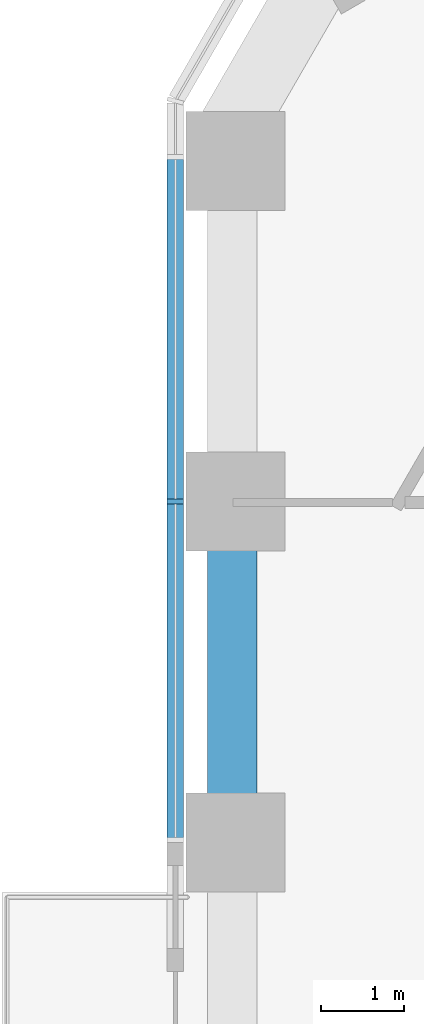
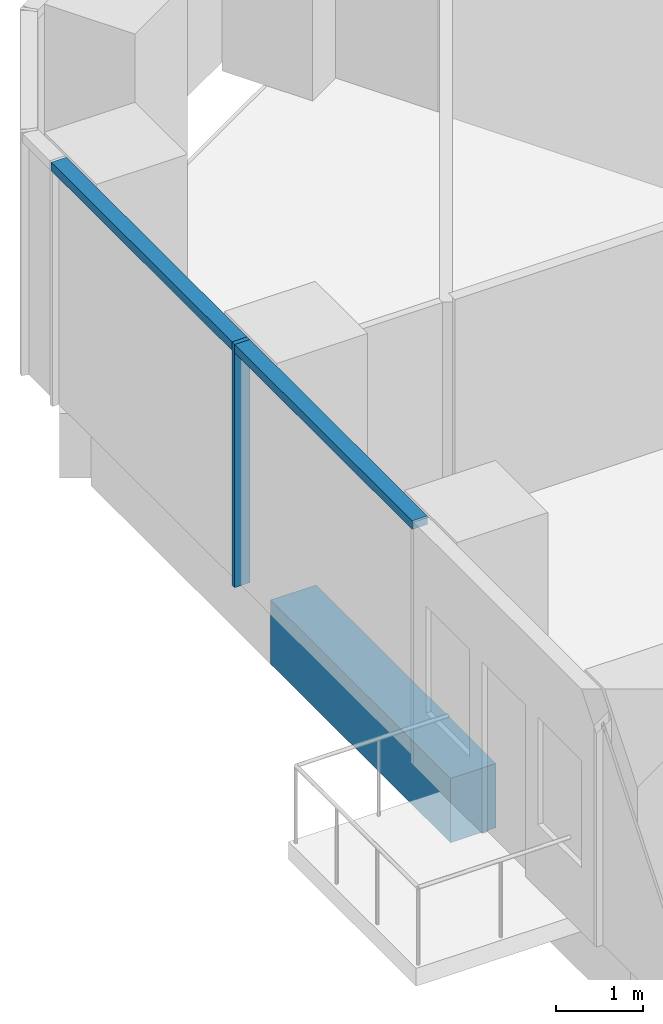
# One storey, part 4 of 20: 2 members, 1 beam, 1 element without a shape of its own.
"""IFC4 building model written with IfcOpenShell, lengths in metres."""

import ifcopenshell
import ifcopenshell.guid

model = None  # the IFC model being written
_history = None  # IfcOwnerHistory: only IFC2X3 demands one
_inside = {}  # id of a spatial element -> (the spatial element, [elements in it])
_under = {}  # id of a project, library or spatial element -> (it, [spatial elements below it])
_declared = {}  # id of a project -> (the project, [libraries it declares])
_typed = {}  # id of a type object -> (the type object, [elements of that type])
_made_of = {}  # id of a material, layer set ... -> (it, [elements and type objects made of it])


def new_model(schema):
    """Start an empty IFC model of exactly this schema.

    Asked for "IFC4X3", IfcOpenShell would pick the latest addendum, in which some entities
    have other attributes; the version numbers below select the first issue.
    IFC2X3 requires an IfcOwnerHistory on every rooted entity: one is made here for all.
    """
    global model, _history
    if schema == "IFC4X3":
        model = ifcopenshell.file(schema_version=(4, 3, 0, 0))
    else:
        model = ifcopenshell.file(schema=schema)
    _inside.clear()
    _under.clear()
    _declared.clear()
    _typed.clear()
    _made_of.clear()
    _history = None
    if model.schema == "IFC2X3":
        org = make("IfcOrganization", Name="unknown")
        user = make(
            "IfcPersonAndOrganization",
            ThePerson=make("IfcPerson", FamilyName="unknown"),
            TheOrganization=org,
        )
        app = make(
            "IfcApplication",
            ApplicationDeveloper=org,
            Version="unknown",
            ApplicationFullName="unknown",
            ApplicationIdentifier="unknown",
        )
        _history = make(
            "IfcOwnerHistory",
            OwningUser=user,
            OwningApplication=app,
            ChangeAction="ADDED",
            CreationDate=0,
        )
    return model


def make(cls, **values):
    """One entity of the class cls with the attributes given. An attribute that is None is left unset."""
    return model.create_entity(
        cls, **{name: value for name, value in values.items() if value is not None}
    )


def rooted(cls, **values):
    """An entity with a GlobalId (a new one), such as an element, a storey or a relation."""
    return make(cls, GlobalId=ifcopenshell.guid.new(), OwnerHistory=_history, **values)


def si_unit(unit_type, name, prefix=None):
    """IfcSIUnit, for example si_unit("LENGTHUNIT", "METRE", prefix="MILLI")."""
    return make("IfcSIUnit", UnitType=unit_type, Prefix=prefix, Name=name)


def assignment(units):
    """IfcUnitAssignment: the units of a project."""
    return None if units is None else make("IfcUnitAssignment", Units=units)


def point(xyz):
    """IfcCartesianPoint."""
    return None if xyz is None else make("IfcCartesianPoint", Coordinates=xyz)


def direction(xyz):
    """IfcDirection."""
    return None if xyz is None else make("IfcDirection", DirectionRatios=xyz)


def frame(location, z_axis=None, x_axis=None):
    """IfcAxis2Placement3D, a coordinate frame: its origin and axes. An axis left out is left unset."""
    return make(
        "IfcAxis2Placement3D",
        Location=point(location),
        Axis=direction(z_axis),
        RefDirection=direction(x_axis),
    )


def frame_2d(location, x_axis=None):
    """IfcAxis2Placement2D, a coordinate frame in the plane: its origin and x axis."""
    return make(
        "IfcAxis2Placement2D", Location=point(location), RefDirection=direction(x_axis)
    )


def origin():
    """The frame at (0, 0, 0) with its axes left unset."""
    return frame((0.0, 0.0, 0.0))


def origin_2d():
    """The frame at (0, 0) in the plane with its x axis left unset."""
    return frame_2d((0.0, 0.0))


def place(relative_to, where):
    """IfcLocalPlacement: puts the frame where relative to a parent placement (None: the world)."""
    return make(
        "IfcLocalPlacement", PlacementRelTo=relative_to, RelativePlacement=where
    )


def context(
    kind, dimensions, precision=None, world=None, true_north=None, identifier=None
):
    """IfcGeometricRepresentationContext, for example the 3D "Model" context."""
    return make(
        "IfcGeometricRepresentationContext",
        ContextIdentifier=identifier,
        ContextType=kind,
        CoordinateSpaceDimension=dimensions,
        Precision=precision,
        WorldCoordinateSystem=world,
        TrueNorth=true_north,
    )


def subcontext(parent, identifier, kind, view, scale=None):
    """IfcGeometricRepresentationSubContext, for example "Body" below "Model"."""
    return make(
        "IfcGeometricRepresentationSubContext",
        ContextIdentifier=identifier,
        ContextType=kind,
        ParentContext=parent,
        TargetScale=scale,
        TargetView=view,
    )


def project(units=None, contexts=None):
    """IfcProject with its units and contexts."""
    return rooted(
        "IfcProject",
        Name="project",
        RepresentationContexts=contexts,
        UnitsInContext=assignment(units),
    )


def spatial(cls, under=None, at=None, **own):
    """A site, building, storey or space (cls), placed at a placement, below another one or the project."""
    s = rooted(cls, ObjectPlacement=at, **own)
    if under is not None:
        _under.setdefault(under.id(), (under, []))[1].append(s)
    return s


def profile(cls, at=None, kind="AREA", **sizes):
    """A parametric profile (cls). Its sizes go by their IFC names, for example OverallWidth=200.0."""
    return make(cls, ProfileType=kind, Position=at, **sizes)


def rectangle(**sizes):
    """IfcRectangleProfileDef."""
    return profile("IfcRectangleProfileDef", **sizes)


def extrude(swept, where, along, depth):
    """IfcExtrudedAreaSolid: the profile swept, set in the frame where, extruded along a direction by depth."""
    return make(
        "IfcExtrudedAreaSolid",
        SweptArea=swept,
        Position=where,
        ExtrudedDirection=direction(along),
        Depth=depth,
    )


def shape(context_of_items, identifier, shape_type, items):
    """IfcShapeRepresentation: the items that make up one representation, for example the "Body"."""
    return make(
        "IfcShapeRepresentation",
        ContextOfItems=context_of_items,
        RepresentationIdentifier=identifier,
        RepresentationType=shape_type,
        Items=items,
    )


def material(Name=None, Category=None):
    """IfcMaterial."""
    return make("IfcMaterial", Name=Name, Category=Category)


def layer(
    of_material, thickness, ventilated=None, Name=None, Category=None, Priority=None
):
    """IfcMaterialLayer: one layer of a wall or slab, of a material (None: an air gap)."""
    return make(
        "IfcMaterialLayer",
        Material=of_material,
        LayerThickness=thickness,
        IsVentilated=ventilated,
        Name=Name,
        Category=Category,
        Priority=Priority,
    )


def layer_set(layers, Name=None):
    """IfcMaterialLayerSet."""
    return make("IfcMaterialLayerSet", MaterialLayers=layers, LayerSetName=Name)


def material_profile(
    of_material, cross_section, Name=None, Category=None, Priority=None
):
    """IfcMaterialProfile: a cross section and its material."""
    return make(
        "IfcMaterialProfile",
        Name=Name,
        Material=of_material,
        Profile=cross_section,
        Priority=Priority,
        Category=Category,
    )


def profile_set(profiles, Name=None, composite=None):
    """IfcMaterialProfileSet."""
    return make(
        "IfcMaterialProfileSet",
        Name=Name,
        MaterialProfiles=profiles,
        CompositeProfile=composite,
    )


def made_of(thing, what):
    """Note that an element or type object is made of a material, layer set ...; save() writes the relation."""
    if what is not None:
        _made_of.setdefault(what.id(), (what, []))[1].append(thing)
    return thing


def type_object(cls, material=None, **own):
    """A type object (cls), such as IfcWallType, which elements share."""
    return made_of(rooted(cls, **own), material)


def element(
    cls,
    number,
    at=None,
    inside=None,
    cuts=None,
    type_object=None,
    material=None,
    context=None,
    identifier="Body",
    shape_type=None,
    held_by="IfcProductDefinitionShape",
    body=None,
    shapes=None,
    **own,
):
    """One element of the class cls, such as IfcWall. Its Tag is "e" and its number.

    at: its placement. inside: the storey or other place that contains it. cuts: it is an
    opening in that element (IfcRelVoidsElement). A single representation is given by context,
    identifier, shape_type and body (its items); several are given by shapes. held_by: the class
    of the entity that holds the representations. save() writes the other relations.
    """
    e = rooted(cls, Tag="e%d" % number, ObjectPlacement=at, **own)
    if body is not None:
        shapes = [shape(context, identifier, shape_type, body)]
    if shapes is not None:
        e.Representation = make(held_by, Representations=shapes)
    if inside is not None:
        _inside.setdefault(inside.id(), (inside, []))[1].append(e)
    if cuts is not None:
        rooted(
            "IfcRelVoidsElement", RelatingBuildingElement=cuts, RelatedOpeningElement=e
        )
    if type_object is not None:
        _typed.setdefault(type_object.id(), (type_object, []))[1].append(e)
    return made_of(e, material)


def aggregate(whole, parts):
    """IfcRelAggregates: a whole, such as a stair, and the parts it consists of."""
    return rooted("IfcRelAggregates", RelatingObject=whole, RelatedObjects=parts)


def save(model, path):
    """Write the relations noted so far, then the file.

    IfcRelAggregates (storeys below a building ...), IfcRelContainedInSpatialStructure (elements
    in a storey), IfcRelDefinesByType, IfcRelAssociatesMaterial and IfcRelDeclares: one each for
    every whole, place, type object, material and project.
    """
    for whole, parts in _under.values():
        aggregate(whole, parts)
    for where, things in _inside.values():
        rooted(
            "IfcRelContainedInSpatialStructure",
            RelatedElements=things,
            RelatingStructure=where,
        )
    for kind, things in _typed.values():
        rooted("IfcRelDefinesByType", RelatedObjects=things, RelatingType=kind)
    for what, things in _made_of.values():
        rooted("IfcRelAssociatesMaterial", RelatedObjects=things, RelatingMaterial=what)
    for by, libraries in _declared.values():
        rooted("IfcRelDeclares", RelatingContext=by, RelatedDefinitions=libraries)
    model.write(path)


model = new_model("IFC4")

# Units and contexts
model_context = context("Model", 3, precision=1e-05, world=origin(), true_north=direction((0.0, 1.0)))
body_context = subcontext(model_context, "Body", "Model", "MODEL_VIEW")
ifc_project = project(units=[si_unit("LENGTHUNIT", "METRE"), si_unit("AREAUNIT", "SQUARE_METRE"), si_unit("VOLUMEUNIT", "CUBIC_METRE"), si_unit("PLANEANGLEUNIT", "RADIAN"), si_unit("MASSUNIT", "GRAM", prefix="KILO")], contexts=[model_context])

# Site, building, storey
site_placement = place(None, origin())
site = spatial("IfcSite", under=ifc_project, at=site_placement, CompositionType="ELEMENT")
building_placement = place(site_placement, origin())
building = spatial("IfcBuilding", under=site, at=building_placement, Name="Ayvan Gate Tower", CompositionType="ELEMENT")
storey_placement = place(building_placement, frame((0.0, 0.0, 28.89990234375)))
storey = spatial("IfcBuildingStorey", under=building, at=storey_placement, Name="L06", CompositionType="ELEMENT", Elevation=28.89990234375)

# Beam
ifc_material_1 = material(Name="Concrete C40/50", Category="concrete")
ifc_material_profile_1 = material_profile(ifc_material_1, rectangle(XDim=0.60009765625, YDim=0.89990234375, at=origin_2d()), Name="RC 600x900")
ifc_profile_set_1 = profile_set([ifc_material_profile_1], Name="Concrete C40/50")
beam_type = type_object("IfcBeamType", Name="Spandrel beam RC 600x900 C40/50", PredefinedType="BEAM", material=ifc_profile_set_1)
beam_placement = place(storey_placement, frame((-20.7392578125, 6.176513671875, -0.7998046875), z_axis=(0.0, -1.0, 0.0), x_axis=(1.0, 0.0, 0.0)))
element("IfcBeam", 1, at=beam_placement, inside=storey, type_object=beam_type, Name="SB-L06-20", PredefinedType="BEAM", context=body_context, shape_type="SweptSolid", body=[
    extrude(rectangle(XDim=0.60009765625, YDim=0.89990234375, at=origin_2d()), origin(), (0.0, 0.0, 1.0), 4.11767578125),
])

# Curtain wall, members
ifc_material_2 = material(Name="Bronze anodised aluminium", Category="aluminium")
ifc_layer = layer(ifc_material_2, 0.199951171875)
ifc_layer_set = layer_set([ifc_layer], Name="Bronze anodised aluminium")
curtain_wall_type = type_object("IfcCurtainWallType", Name="Stick curtain wall CW-1", PredefinedType="NOTDEFINED", material=ifc_layer_set)
curtain_wall_placement = place(storey_placement, origin())
curtain_wall = element("IfcCurtainWall", 2, at=curtain_wall_placement, inside=storey, type_object=curtain_wall_type, Name="Stick curtain wall CW-1 L06", PredefinedType="NOTDEFINED")
ifc_material_profile_2 = material_profile(ifc_material_2, rectangle(XDim=0.199951171875, YDim=0.06005859375, at=origin_2d()), Name="Stick curtain wall CW-1 mullion 200 x 60")
ifc_profile_set_2 = profile_set([ifc_material_profile_2], Name="Bronze anodised aluminium")
member_type_1 = type_object("IfcMemberType", Name="Stick curtain wall CW-1 mullion 200 x 60", PredefinedType="MULLION", material=ifc_profile_set_2)
member_1_placement = place(storey_placement, frame((-21.42529296875, 6.19140625, 0.0), z_axis=(0.0, 0.0, 1.0), x_axis=(-1.0, 0.0, 0.0)))
member_1 = element("IfcMember", 3, at=member_1_placement, type_object=member_type_1, Name="CW-1 mullion 2", PredefinedType="MULLION", context=body_context, shape_type="SweptSolid", body=[
    extrude(rectangle(XDim=0.199951171875, YDim=0.06005859375, at=origin_2d()), origin(), (0.0, 0.0, 1.0), 3.400146484375),
])
ifc_material_profile_3 = material_profile(ifc_material_2, rectangle(XDim=0.199951171875, YDim=0.1201171875, at=origin_2d()), Name="Stick curtain wall CW-1 transom 200 x 120")
ifc_profile_set_3 = profile_set([ifc_material_profile_3], Name="Bronze anodised aluminium")
member_type_2 = type_object("IfcMemberType", Name="Stick curtain wall CW-1 transom 200 x 120", PredefinedType="USERDEFINED", material=ifc_profile_set_3)
member_2_placement = place(storey_placement, frame((-21.42529296875, 10.3642578125, 3.340087890625), z_axis=(0.0, -1.0, 0.0), x_axis=(1.0, 0.0, 0.0)))
member_2 = element("IfcMember", 4, at=member_2_placement, type_object=member_type_2, Name="CW-1 transom 1", ObjectType="TRANSOM", PredefinedType="USERDEFINED", context=body_context, shape_type="SweptSolid", body=[
    extrude(rectangle(XDim=0.199951171875, YDim=0.1201171875, at=origin_2d()), origin(), (0.0, 0.0, 1.0), 8.27099609375),
])
aggregate(curtain_wall, [member_1, member_2])

save(model, "model.ifc")
